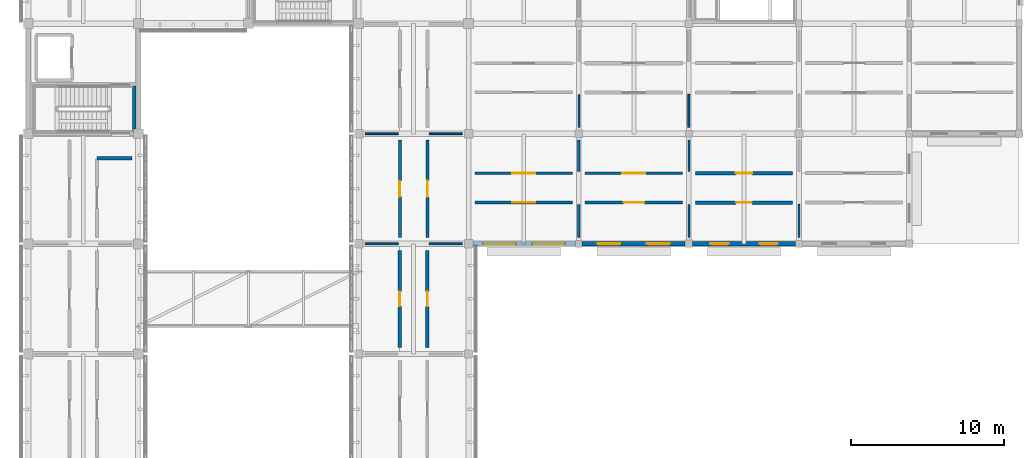
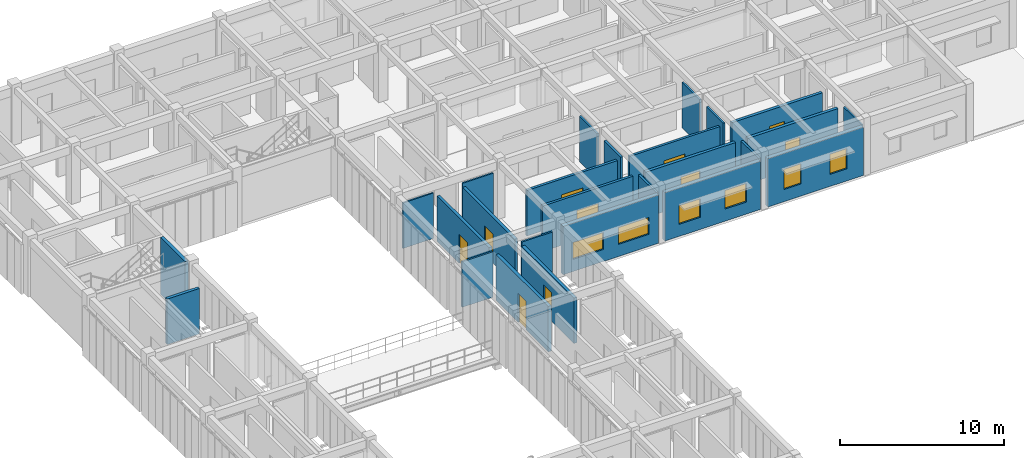
# One storey, part 72 of 91: 26 walls, 10 doors, 6 windows, 16 openings.
"""IFC4 building model written with IfcOpenShell, lengths in metres."""

from ifc_helpers import new_model, si_unit, direction, frame, frame_2d, origin, place, context, subcontext, project, spatial, rectangle, extrude, material, layer, layer_set, type_object, element, fill, save


model = new_model("IFC4")

# Units and contexts
model_context = context("Model", 3, precision=1e-05, world=origin(), true_north=direction((0.0, 1.0)))
body_context = subcontext(model_context, "Body", "Model", "MODEL_VIEW")
ifc_project = project(units=[si_unit("LENGTHUNIT", "METRE"), si_unit("AREAUNIT", "SQUARE_METRE"), si_unit("VOLUMEUNIT", "CUBIC_METRE"), si_unit("PLANEANGLEUNIT", "RADIAN"), si_unit("MASSUNIT", "GRAM", prefix="KILO")], contexts=[model_context])

# Site, building, storey
site_placement = place(None, origin())
site = spatial("IfcSite", under=ifc_project, at=site_placement, CompositionType="ELEMENT")
building_placement = place(site_placement, origin())
building = spatial("IfcBuilding", under=site, at=building_placement, Name="Aldebral Square Health Centre", CompositionType="ELEMENT")
storey_placement = place(building_placement, frame((0.0, 0.0, 9.0)))
storey = spatial("IfcBuildingStorey", under=building, at=storey_placement, Name="L02", CompositionType="ELEMENT", Elevation=9.0)

# Wall, openings, windows
ifc_material_1 = material(Name="Ochre mineral-rendered concrete C35/45 court wall", Category="concrete")
ifc_layer_1 = layer(ifc_material_1, 0.280029296875, Name="Ochre mineral-rendered concrete C35/45 court wall", Category="concrete")
ifc_layer_set_1 = layer_set([ifc_layer_1], Name="Ochre mineral-rendered concrete C35/45 court wall")
wall_type_1 = type_object("IfcWallType", Name="EW-OCH-280", PredefinedType="STANDARD", material=ifc_layer_set_1)
wall_1_placement = place(storey_placement, frame((29.074951171875, 86.39990234375, 0.0), z_axis=(0.0, 0.0, 1.0), x_axis=(1.0, 0.0, 0.0)))
wall_1 = element("IfcWall", 1, at=wall_1_placement, inside=storey, type_object=wall_type_1, Name="L02 V2 exterior wall L02-V2-04-12-S", PredefinedType="STANDARD", context=body_context, shape_type="SweptSolid", body=[
    extrude(rectangle(XDim=6.699951171875, YDim=0.280029296875, at=frame_2d((3.35009765625, 0.0))), origin(), (0.0, 0.0, 1.0), 3.590087890625),
])
opening_1_placement = place(wall_1_placement, frame((0.675048828125, 0.0, 0.89990234375)))
opening_1 = element("IfcOpeningElement", 2, at=opening_1_placement, cuts=wall_1, Name="Opening W09", PredefinedType="OPENING", context=body_context, shape_type="SweptSolid", body=[
    extrude(rectangle(XDim=2.14990234375, YDim=1.25, at=frame_2d((1.074951171875, 0.625))), frame((0.0, 0.14990234375, 0.0), z_axis=(0.0, -1.0, 0.0), x_axis=(1.0, 0.0, 0.0)), (0.0, 0.0, 1.0), 0.300048828125),
])
opening_2_placement = place(wall_1_placement, frame((3.875, 0.0, 0.89990234375)))
opening_2 = element("IfcOpeningElement", 3, at=opening_2_placement, cuts=wall_1, Name="Opening W09", PredefinedType="OPENING", context=body_context, shape_type="SweptSolid", body=[
    extrude(rectangle(XDim=2.14990234375, YDim=1.25, at=frame_2d((1.074951171875, 0.625))), frame((0.0, 0.14990234375, 0.0), z_axis=(0.0, -1.0, 0.0), x_axis=(1.0, 0.0, 0.0)), (0.0, 0.0, 1.0), 0.300048828125),
])
ifc_material_2 = material(Name="Thermally broken aluminium and low-E glass", Category="aluminium")
window_type_1 = type_object("IfcWindowType", Name="WIN-W09", PartitioningType="SINGLE_PANEL", PredefinedType="WINDOW", material=ifc_material_2)
window_1_placement = place(opening_1_placement, origin())
window_1 = element("IfcWindow", 4, at=window_1_placement, inside=storey, type_object=window_type_1, Name="L02 clinical window L02-V2-04-12-S.1", OverallHeight=1.25, OverallWidth=2.14990234375, PartitioningType="SINGLE_PANEL", PredefinedType="WINDOW", context=body_context, shape_type="SweptSolid", body=[
    extrude(rectangle(XDim=2.14990234375, YDim=1.25, at=frame_2d((1.074951171875, 0.625))), frame((0.0, 0.030029296875, 0.0), z_axis=(0.0, -1.0, 0.0), x_axis=(1.0, 0.0, 0.0)), (0.0, 0.0, 1.0), 0.06005859375),
])
fill(opening_1, window_1)
window_2_placement = place(opening_2_placement, origin())
window_2 = element("IfcWindow", 5, at=window_2_placement, inside=storey, type_object=window_type_1, Name="L02 clinical window L02-V2-04-12-S.2", OverallHeight=1.25, OverallWidth=2.14990234375, PartitioningType="SINGLE_PANEL", PredefinedType="WINDOW", context=body_context, shape_type="SweptSolid", body=[
    extrude(rectangle(XDim=2.14990234375, YDim=1.25, at=frame_2d((1.074951171875, 0.625))), frame((0.0, 0.030029296875, 0.0), z_axis=(0.0, -1.0, 0.0), x_axis=(1.0, 0.0, 0.0)), (0.0, 0.0, 1.0), 0.06005859375),
])
fill(opening_2, window_2)

wall_2_placement = place(storey_placement, frame((36.22509765625, 86.39990234375, 0.0), z_axis=(0.0, 0.0, 1.0), x_axis=(1.0, 0.0, 0.0)))
wall_2 = element("IfcWall", 6, at=wall_2_placement, inside=storey, type_object=wall_type_1, Name="L02 V2 exterior wall L02-V2-05-12-S", PredefinedType="STANDARD", context=body_context, shape_type="SweptSolid", body=[
    extrude(rectangle(XDim=6.724853515625, YDim=0.280029296875, at=frame_2d((3.3623046875, 0.0))), origin(), (0.0, 0.0, 1.0), 3.590087890625),
])
opening_3_placement = place(wall_2_placement, frame((1.0, 0.0, 0.89990234375)))
opening_3 = element("IfcOpeningElement", 7, at=opening_3_placement, cuts=wall_2, Name="Opening W14", PredefinedType="OPENING", context=body_context, shape_type="SweptSolid", body=[
    extrude(rectangle(XDim=1.5, YDim=1.3798828125, at=frame_2d((0.75, 0.68994140625))), frame((0.0, 0.14990234375, 0.0), z_axis=(0.0, -1.0, 0.0), x_axis=(1.0, 0.0, 0.0)), (0.0, 0.0, 1.0), 0.300048828125),
])
opening_4_placement = place(wall_2_placement, frame((4.22509765625, 0.0, 0.89990234375)))
opening_4 = element("IfcOpeningElement", 8, at=opening_4_placement, cuts=wall_2, Name="Opening W14", PredefinedType="OPENING", context=body_context, shape_type="SweptSolid", body=[
    extrude(rectangle(XDim=1.5, YDim=1.3798828125, at=frame_2d((0.75, 0.68994140625))), frame((0.0, 0.14990234375, 0.0), z_axis=(0.0, -1.0, 0.0), x_axis=(1.0, 0.0, 0.0)), (0.0, 0.0, 1.0), 0.300048828125),
])
window_type_2 = type_object("IfcWindowType", Name="WIN-W14", PartitioningType="SINGLE_PANEL", PredefinedType="WINDOW", material=ifc_material_2)
window_3_placement = place(opening_3_placement, origin())
window_3 = element("IfcWindow", 9, at=window_3_placement, inside=storey, type_object=window_type_2, Name="L02 clinical window L02-V2-05-12-S.1", OverallHeight=1.3798828125, OverallWidth=1.5, PartitioningType="SINGLE_PANEL", PredefinedType="WINDOW", context=body_context, shape_type="SweptSolid", body=[
    extrude(rectangle(XDim=1.5, YDim=1.3798828125, at=frame_2d((0.75, 0.68994140625))), frame((0.0, 0.030029296875, 0.0), z_axis=(0.0, -1.0, 0.0), x_axis=(1.0, 0.0, 0.0)), (0.0, 0.0, 1.0), 0.06005859375),
])
fill(opening_3, window_3)
window_4_placement = place(opening_4_placement, origin())
window_4 = element("IfcWindow", 10, at=window_4_placement, inside=storey, type_object=window_type_2, Name="L02 clinical window L02-V2-05-12-S.2", OverallHeight=1.3798828125, OverallWidth=1.5, PartitioningType="SINGLE_PANEL", PredefinedType="WINDOW", context=body_context, shape_type="SweptSolid", body=[
    extrude(rectangle(XDim=1.5, YDim=1.3798828125, at=frame_2d((0.75, 0.68994140625))), frame((0.0, 0.030029296875, 0.0), z_axis=(0.0, -1.0, 0.0), x_axis=(1.0, 0.0, 0.0)), (0.0, 0.0, 1.0), 0.06005859375),
])
fill(opening_4, window_4)

wall_3_placement = place(storey_placement, frame((43.449951171875, 86.39990234375, 0.0), z_axis=(0.0, 0.0, 1.0), x_axis=(1.0, 0.0, 0.0)))
wall_3 = element("IfcWall", 11, at=wall_3_placement, inside=storey, type_object=wall_type_1, Name="L02 V2 exterior wall L02-V2-06-12-S", PredefinedType="STANDARD", context=body_context, shape_type="SweptSolid", body=[
    extrude(rectangle(XDim=6.72509765625, YDim=0.280029296875, at=frame_2d((3.362548828125, 0.0))), origin(), (0.0, 0.0, 1.0), 3.590087890625),
])
opening_5_placement = place(wall_3_placement, frame((1.14990234375, 0.0, 0.89990234375)))
opening_5 = element("IfcOpeningElement", 12, at=opening_5_placement, cuts=wall_3, Name="Opening W21", PredefinedType="OPENING", context=body_context, shape_type="SweptSolid", body=[
    extrude(rectangle(XDim=1.199951171875, YDim=1.5, at=frame_2d((0.60009765625, 0.75))), frame((0.0, 0.14990234375, 0.0), z_axis=(0.0, -1.0, 0.0), x_axis=(1.0, 0.0, 0.0)), (0.0, 0.0, 1.0), 0.300048828125),
])
opening_6_placement = place(wall_3_placement, frame((4.375, 0.0, 0.89990234375)))
opening_6 = element("IfcOpeningElement", 13, at=opening_6_placement, cuts=wall_3, Name="Opening W21", PredefinedType="OPENING", context=body_context, shape_type="SweptSolid", body=[
    extrude(rectangle(XDim=1.199951171875, YDim=1.5, at=frame_2d((0.60009765625, 0.75))), frame((0.0, 0.14990234375, 0.0), z_axis=(0.0, -1.0, 0.0), x_axis=(1.0, 0.0, 0.0)), (0.0, 0.0, 1.0), 0.300048828125),
])
window_type_3 = type_object("IfcWindowType", Name="WIN-W21", PartitioningType="SINGLE_PANEL", PredefinedType="WINDOW", material=ifc_material_2)
window_5_placement = place(opening_5_placement, origin())
window_5 = element("IfcWindow", 14, at=window_5_placement, inside=storey, type_object=window_type_3, Name="L02 clinical window L02-V2-06-12-S.1", OverallHeight=1.5, OverallWidth=1.199951171875, PartitioningType="SINGLE_PANEL", PredefinedType="WINDOW", context=body_context, shape_type="SweptSolid", body=[
    extrude(rectangle(XDim=1.199951171875, YDim=1.5, at=frame_2d((0.60009765625, 0.75))), frame((0.0, 0.030029296875, 0.0), z_axis=(0.0, -1.0, 0.0), x_axis=(1.0, 0.0, 0.0)), (0.0, 0.0, 1.0), 0.06005859375),
])
fill(opening_5, window_5)
window_6_placement = place(opening_6_placement, origin())
window_6 = element("IfcWindow", 15, at=window_6_placement, inside=storey, type_object=window_type_3, Name="L02 clinical window L02-V2-06-12-S.2", OverallHeight=1.5, OverallWidth=1.199951171875, PartitioningType="SINGLE_PANEL", PredefinedType="WINDOW", context=body_context, shape_type="SweptSolid", body=[
    extrude(rectangle(XDim=1.199951171875, YDim=1.5, at=frame_2d((0.60009765625, 0.75))), frame((0.0, 0.030029296875, 0.0), z_axis=(0.0, -1.0, 0.0), x_axis=(1.0, 0.0, 0.0)), (0.0, 0.0, 1.0), 0.06005859375),
])
fill(opening_6, window_6)

# Wall, opening, door
ifc_material_3 = material(Name="Concrete C35/45 compartment wall", Category="concrete")
ifc_layer_2 = layer(ifc_material_3, 0.199951171875, Name="Concrete C35/45 compartment wall", Category="concrete")
ifc_layer_set_2 = layer_set([ifc_layer_2], Name="Concrete C35/45 compartment wall")
wall_type_2 = type_object("IfcWallType", Name="IW-CMP-200", PredefinedType="SOLIDWALL", material=ifc_layer_set_2)
wall_4_placement = place(storey_placement, frame((24.300048828125, 86.820068359375, 0.0), z_axis=(0.0, 0.0, 1.0), x_axis=(0.0, 1.0, 0.0)))
wall_4 = element("IfcWall", 16, at=wall_4_placement, inside=storey, type_object=wall_type_2, Name="L02 General Consulting Room 4.13W corridor wall", PredefinedType="SOLIDWALL", context=body_context, shape_type="SweptSolid", body=[
    extrude(rectangle(XDim=6.35986328125, YDim=0.199951171875, at=frame_2d((3.179931640625, 0.0))), origin(), (0.0, 0.0, 1.0), 3.3798828125),
])
opening_7_placement = place(wall_4_placement, frame((2.669921875, 0.0, 0.0)))
opening_7 = element("IfcOpeningElement", 17, at=opening_7_placement, cuts=wall_4, Name="Opening D-0464", PredefinedType="OPENING", context=body_context, shape_type="SweptSolid", body=[
    extrude(rectangle(XDim=1.02001953125, YDim=2.139892578125, at=frame_2d((0.510009765625, 1.06982421875))), frame((0.0, 0.10986328125, 0.0), z_axis=(0.0, -1.0, 0.0), x_axis=(1.0, 0.0, 0.0)), (0.0, 0.0, 1.0), 0.219970703125),
])
ifc_material_4 = material(Name="Clinical suite fire door")
door_type_1 = type_object("IfcDoorType", Name="ID-EXD-35", OperationType="NOTDEFINED", PredefinedType="DOOR", material=ifc_material_4)
door_1_placement = place(opening_7_placement, origin())
door_1 = element("IfcDoor", 18, at=door_1_placement, inside=storey, type_object=door_type_1, Name="L02 General Consulting Room 4.13W door", OperationType="SINGLE_SWING_LEFT", OverallHeight=2.139892578125, OverallWidth=1.02001953125, PredefinedType="DOOR", context=body_context, shape_type="SweptSolid", body=[
    extrude(rectangle(XDim=1.02001953125, YDim=2.139892578125, at=frame_2d((0.510009765625, 1.06982421875))), frame((0.0, 0.02490234375, 0.0), z_axis=(0.0, -1.0, 0.0), x_axis=(1.0, 0.0, 0.0)), (0.0, 0.0, 1.0), 0.050048828125),
])
fill(opening_7, door_1)

ifc_layer_3 = layer(ifc_material_3, 0.219970703125, Name="Concrete C35/45 compartment wall", Category="concrete")
ifc_layer_set_3 = layer_set([ifc_layer_3], Name="Concrete C35/45 compartment wall")
wall_type_3 = type_object("IfcWallType", Name="IW-CMP-220", PredefinedType="SOLIDWALL", material=ifc_layer_set_3)
wall_5_placement = place(storey_placement, frame((43.6201171875, 89.10009765625, 0.0), z_axis=(0.0, 0.0, 1.0), x_axis=(1.0, 0.0, 0.0)))
wall_5 = element("IfcWall", 19, at=wall_5_placement, inside=storey, type_object=wall_type_3, Name="L02 Surgical HVAC Plant Room 7.13S corridor wall", PredefinedType="SOLIDWALL", context=body_context, shape_type="SweptSolid", body=[
    extrude(rectangle(XDim=6.35986328125, YDim=0.219970703125, at=frame_2d((3.179931640625, 0.0))), origin(), (0.0, 0.0, 1.0), 3.3798828125),
])
opening_8_placement = place(wall_5_placement, frame((2.669921875, 0.0, 0.0)))
opening_8 = element("IfcOpeningElement", 20, at=opening_8_placement, cuts=wall_5, Name="Opening D-0411", PredefinedType="OPENING", context=body_context, shape_type="SweptSolid", body=[
    extrude(rectangle(XDim=1.02001953125, YDim=2.18994140625, at=frame_2d((0.510009765625, 1.094970703125))), frame((0.0, 0.1201171875, 0.0), z_axis=(0.0, -1.0, 0.0), x_axis=(1.0, 0.0, 0.0)), (0.0, 0.0, 1.0), 0.239990234375),
])
door_type_2 = type_object("IfcDoorType", Name="ID-EXD-51", OperationType="NOTDEFINED", PredefinedType="DOOR", material=ifc_material_4)
door_2_placement = place(opening_8_placement, origin())
door_2 = element("IfcDoor", 21, at=door_2_placement, inside=storey, type_object=door_type_2, Name="L02 Surgical HVAC Plant Room 7.13S door", OperationType="SINGLE_SWING_RIGHT", OverallHeight=2.18994140625, OverallWidth=1.02001953125, PredefinedType="DOOR", context=body_context, shape_type="SweptSolid", body=[
    extrude(rectangle(XDim=1.02001953125, YDim=2.18994140625, at=frame_2d((0.510009765625, 1.094970703125))), frame((0.0, 0.02490234375, 0.0), z_axis=(0.0, -1.0, 0.0), x_axis=(1.0, 0.0, 0.0)), (0.0, 0.0, 1.0), 0.050048828125),
])
fill(opening_8, door_2)

wall_6_placement = place(storey_placement, frame((24.300048828125, 79.6201171875, 0.0), z_axis=(0.0, 0.0, 1.0), x_axis=(0.0, 1.0, 0.0)))
wall_6 = element("IfcWall", 22, at=wall_6_placement, inside=storey, type_object=wall_type_3, Name="L02 Adolescent Medicine Clinic 4.12W corridor wall", PredefinedType="SOLIDWALL", context=body_context, shape_type="SweptSolid", body=[
    extrude(rectangle(XDim=6.35986328125, YDim=0.219970703125, at=frame_2d((3.179931640625, 0.0))), origin(), (0.0, 0.0, 1.0), 3.3798828125),
])
opening_9_placement = place(wall_6_placement, frame((2.7099609375, 0.0, 0.0)))
opening_9 = element("IfcOpeningElement", 23, at=opening_9_placement, cuts=wall_6, Name="Opening D-0462", PredefinedType="OPENING", context=body_context, shape_type="SweptSolid", body=[
    extrude(rectangle(XDim=0.93994140625, YDim=2.139892578125, at=frame_2d((0.469970703125, 1.06982421875))), frame((0.0, 0.1201171875, 0.0), z_axis=(0.0, -1.0, 0.0), x_axis=(1.0, 0.0, 0.0)), (0.0, 0.0, 1.0), 0.239990234375),
])
door_type_3 = type_object("IfcDoorType", Name="ID-EXD-33", OperationType="NOTDEFINED", PredefinedType="DOOR", material=ifc_material_4)
door_3_placement = place(opening_9_placement, origin())
door_3 = element("IfcDoor", 24, at=door_3_placement, inside=storey, type_object=door_type_3, Name="L02 Adolescent Medicine Clinic 4.12W door", OperationType="SINGLE_SWING_LEFT", OverallHeight=2.139892578125, OverallWidth=0.93994140625, PredefinedType="DOOR", context=body_context, shape_type="SweptSolid", body=[
    extrude(rectangle(XDim=0.93994140625, YDim=2.139892578125, at=frame_2d((0.469970703125, 1.06982421875))), frame((0.0, 0.02490234375, 0.0), z_axis=(0.0, -1.0, 0.0), x_axis=(1.0, 0.0, 0.0)), (0.0, 0.0, 1.0), 0.050048828125),
])
fill(opening_9, door_3)

wall_7_placement = place(storey_placement, frame((26.10009765625, 79.6201171875, 0.0), z_axis=(0.0, 0.0, 1.0), x_axis=(0.0, 1.0, 0.0)))
wall_7 = element("IfcWall", 25, at=wall_7_placement, inside=storey, type_object=wall_type_3, Name="L02 Immunisation Suite 4.12E corridor wall", PredefinedType="SOLIDWALL", context=body_context, shape_type="SweptSolid", body=[
    extrude(rectangle(XDim=6.35986328125, YDim=0.219970703125, at=frame_2d((3.179931640625, 0.0))), origin(), (0.0, 0.0, 1.0), 3.3798828125),
])
opening_10_placement = place(wall_7_placement, frame((2.68994140625, 0.0, 0.0)))
opening_10 = element("IfcOpeningElement", 26, at=opening_10_placement, cuts=wall_7, Name="Opening D-0463", PredefinedType="OPENING", context=body_context, shape_type="SweptSolid", body=[
    extrude(rectangle(XDim=0.97998046875, YDim=2.139892578125, at=frame_2d((0.489990234375, 1.06982421875))), frame((0.0, 0.1201171875, 0.0), z_axis=(0.0, -1.0, 0.0), x_axis=(1.0, 0.0, 0.0)), (0.0, 0.0, 1.0), 0.239990234375),
])
door_type_4 = type_object("IfcDoorType", Name="ID-EXD-34", OperationType="NOTDEFINED", PredefinedType="DOOR", material=ifc_material_4)
door_4_placement = place(opening_10_placement, origin())
door_4 = element("IfcDoor", 27, at=door_4_placement, inside=storey, type_object=door_type_4, Name="L02 Immunisation Suite 4.12E door", OperationType="SINGLE_SWING_RIGHT", OverallHeight=2.139892578125, OverallWidth=0.97998046875, PredefinedType="DOOR", context=body_context, shape_type="SweptSolid", body=[
    extrude(rectangle(XDim=0.97998046875, YDim=2.139892578125, at=frame_2d((0.489990234375, 1.06982421875))), frame((0.0, 0.02490234375, 0.0), z_axis=(0.0, -1.0, 0.0), x_axis=(1.0, 0.0, 0.0)), (0.0, 0.0, 1.0), 0.050048828125),
])
fill(opening_10, door_4)

ifc_material_5 = material(Name="Fire-rated acoustic gypsum partition")
ifc_layer_4 = layer(ifc_material_5, 0.1650390625, Name="Fire-rated acoustic gypsum partition")
ifc_layer_set_4 = layer_set([ifc_layer_4], Name="Fire-rated acoustic gypsum partition")
wall_type_4 = type_object("IfcWallType", Name="IW-COR-165", PredefinedType="PARTITIONING", material=ifc_layer_set_4)
wall_8_placement = place(storey_placement, frame((36.419921875, 91.02001953125, 0.0), z_axis=(0.0, 0.0, 1.0), x_axis=(1.0, 0.0, 0.0)))
wall_8 = element("IfcWall", 28, at=wall_8_placement, inside=storey, type_object=wall_type_4, Name="L02 Day Surgery Operating Theatre 6.13N corridor wall", PredefinedType="PARTITIONING", context=body_context, shape_type="SweptSolid", body=[
    extrude(rectangle(XDim=6.360107421875, YDim=0.1650390625, at=frame_2d((3.18017578125, 0.0))), origin(), (0.0, 0.0, 1.0), 3.3798828125),
])
opening_11_placement = place(wall_8_placement, frame((2.429931640625, 0.0, 0.0)))
opening_11 = element("IfcOpeningElement", 29, at=opening_11_placement, cuts=wall_8, Name="Opening D-0404", PredefinedType="OPENING", context=body_context, shape_type="SweptSolid", body=[
    extrude(rectangle(XDim=1.5, YDim=2.199951171875, at=frame_2d((0.75, 1.10009765625))), frame((0.0, 0.092529296875, 0.0), z_axis=(0.0, -1.0, 0.0), x_axis=(1.0, 0.0, 0.0)), (0.0, 0.0, 1.0), 0.18505859375),
])
ifc_material_6 = material(Name="Surgical suite double-leaf fire door")
door_type_5 = type_object("IfcDoorType", Name="ID-OR-150", OperationType="NOTDEFINED", PredefinedType="DOOR", material=ifc_material_6)
door_5_placement = place(opening_11_placement, origin())
door_5 = element("IfcDoor", 30, at=door_5_placement, inside=storey, type_object=door_type_5, Name="L02 Day Surgery Operating Theatre 6.13N door", OperationType="SINGLE_SWING_LEFT", OverallHeight=2.199951171875, OverallWidth=1.5, PredefinedType="DOOR", context=body_context, shape_type="SweptSolid", body=[
    extrude(rectangle(XDim=1.5, YDim=2.199951171875, at=frame_2d((0.75, 1.10009765625))), frame((0.0, 0.02490234375, 0.0), z_axis=(0.0, -1.0, 0.0), x_axis=(1.0, 0.0, 0.0)), (0.0, 0.0, 1.0), 0.050048828125),
])
fill(opening_11, door_5)

ifc_layer_5 = layer(ifc_material_5, 0.179931640625, Name="Fire-rated acoustic gypsum partition")
ifc_layer_set_5 = layer_set([ifc_layer_5], Name="Fire-rated acoustic gypsum partition")
wall_type_5 = type_object("IfcWallType", Name="IW-COR-180", PredefinedType="PARTITIONING", material=ifc_layer_set_5)
wall_9_placement = place(storey_placement, frame((29.219970703125, 89.10009765625, 0.0), z_axis=(0.0, 0.0, 1.0), x_axis=(1.0, 0.0, 0.0)))
wall_9 = element("IfcWall", 31, at=wall_9_placement, inside=storey, type_object=wall_type_5, Name="L02 Day Surgery Operating Theatre 5.13S corridor wall", PredefinedType="PARTITIONING", context=body_context, shape_type="SweptSolid", body=[
    extrude(rectangle(XDim=6.360107421875, YDim=0.179931640625, at=frame_2d((3.18017578125, 0.0))), origin(), (0.0, 0.0, 1.0), 3.3798828125),
])
opening_12_placement = place(wall_9_placement, frame((2.429931640625, 0.0, 0.0)))
opening_12 = element("IfcOpeningElement", 32, at=opening_12_placement, cuts=wall_9, Name="Opening D-0395", PredefinedType="OPENING", context=body_context, shape_type="SweptSolid", body=[
    extrude(rectangle(XDim=1.5, YDim=2.199951171875, at=frame_2d((0.75, 1.10009765625))), frame((0.0, 0.10009765625, 0.0), z_axis=(0.0, -1.0, 0.0), x_axis=(1.0, 0.0, 0.0)), (0.0, 0.0, 1.0), 0.199951171875),
])
door_6_placement = place(opening_12_placement, origin())
door_6 = element("IfcDoor", 33, at=door_6_placement, inside=storey, type_object=door_type_5, Name="L02 Day Surgery Operating Theatre 5.13S door", OperationType="SINGLE_SWING_RIGHT", OverallHeight=2.199951171875, OverallWidth=1.5, PredefinedType="DOOR", context=body_context, shape_type="SweptSolid", body=[
    extrude(rectangle(XDim=1.5, YDim=2.199951171875, at=frame_2d((0.75, 1.10009765625))), frame((0.0, 0.02490234375, 0.0), z_axis=(0.0, -1.0, 0.0), x_axis=(1.0, 0.0, 0.0)), (0.0, 0.0, 1.0), 0.050048828125),
])
fill(opening_12, door_6)

wall_10_placement = place(storey_placement, frame((29.219970703125, 91.02001953125, 0.0), z_axis=(0.0, 0.0, 1.0), x_axis=(1.0, 0.0, 0.0)))
wall_10 = element("IfcWall", 34, at=wall_10_placement, inside=storey, type_object=wall_type_5, Name="L02 Ambulatory Procedure Room 5.13N corridor wall", PredefinedType="PARTITIONING", context=body_context, shape_type="SweptSolid", body=[
    extrude(rectangle(XDim=6.360107421875, YDim=0.179931640625, at=frame_2d((3.18017578125, 0.0))), origin(), (0.0, 0.0, 1.0), 3.3798828125),
])
opening_13_placement = place(wall_10_placement, frame((2.429931640625, 0.0, 0.0)))
opening_13 = element("IfcOpeningElement", 35, at=opening_13_placement, cuts=wall_10, Name="Opening D-0396", PredefinedType="OPENING", context=body_context, shape_type="SweptSolid", body=[
    extrude(rectangle(XDim=1.5, YDim=2.199951171875, at=frame_2d((0.75, 1.10009765625))), frame((0.0, 0.10009765625, 0.0), z_axis=(0.0, -1.0, 0.0), x_axis=(1.0, 0.0, 0.0)), (0.0, 0.0, 1.0), 0.199951171875),
])
door_7_placement = place(opening_13_placement, origin())
door_7 = element("IfcDoor", 36, at=door_7_placement, inside=storey, type_object=door_type_5, Name="L02 Ambulatory Procedure Room 5.13N door", OperationType="SINGLE_SWING_LEFT", OverallHeight=2.199951171875, OverallWidth=1.5, PredefinedType="DOOR", context=body_context, shape_type="SweptSolid", body=[
    extrude(rectangle(XDim=1.5, YDim=2.199951171875, at=frame_2d((0.75, 1.10009765625))), frame((0.0, 0.02490234375, 0.0), z_axis=(0.0, -1.0, 0.0), x_axis=(1.0, 0.0, 0.0)), (0.0, 0.0, 1.0), 0.050048828125),
])
fill(opening_13, door_7)

# Wall
ifc_material_7 = material(Name="Concrete C40/50", Category="concrete")
ifc_layer_6 = layer(ifc_material_7, 0.219970703125, Name="Concrete C40/50", Category="concrete")
ifc_layer_set_6 = layer_set([ifc_layer_6], Name="Concrete C40/50")
wall_type_6 = type_object("IfcWallType", Name="IW-CORE-280", PredefinedType="SHEAR", material=ifc_layer_set_6)
wall_11_placement = place(storey_placement, frame((6.929931640625, 93.719970703125, 0.0), z_axis=(0.0, 0.0, 1.0), x_axis=(0.0, 1.0, 0.0)))
element("IfcWall", 37, at=wall_11_placement, inside=storey, type_object=wall_type_6, Name="L02 WC-C1 shaft wall E", PredefinedType="SHEAR", context=body_context, shape_type="SweptSolid", body=[
    extrude(rectangle(XDim=3.0, YDim=0.219970703125, at=frame_2d((1.5, 0.0))), origin(), (0.0, 0.0, 1.0), 4.239990234375),
])

# Wall, opening, door
ifc_material_8 = material(Name="Moisture-resistant sanitary chase wall")
ifc_layer_7 = layer(ifc_material_8, 0.2099609375, Name="Moisture-resistant sanitary chase wall")
ifc_layer_set_7 = layer_set([ifc_layer_7], Name="Moisture-resistant sanitary chase wall")
wall_type_7 = type_object("IfcWallType", Name="IW-PLB-210", PredefinedType="PLUMBINGWALL", material=ifc_layer_set_7)
wall_12_placement = place(storey_placement, frame((36.419921875, 89.10009765625, 0.0), z_axis=(0.0, 0.0, 1.0), x_axis=(1.0, 0.0, 0.0)))
wall_12 = element("IfcWall", 38, at=wall_12_placement, inside=storey, type_object=wall_type_7, Name="L02 Accessible WC 6.13S corridor wall", PredefinedType="PLUMBINGWALL", context=body_context, shape_type="SweptSolid", body=[
    extrude(rectangle(XDim=6.360107421875, YDim=0.2099609375, at=frame_2d((3.18017578125, 0.0))), origin(), (0.0, 0.0, 1.0), 3.3798828125),
])
opening_14_placement = place(wall_12_placement, frame((2.510009765625, 0.0, 0.0)))
opening_14 = element("IfcOpeningElement", 39, at=opening_14_placement, cuts=wall_12, Name="Opening D-0403", PredefinedType="OPENING", context=body_context, shape_type="SweptSolid", body=[
    extrude(rectangle(XDim=1.340087890625, YDim=2.139892578125, at=frame_2d((0.669921875, 1.06982421875))), frame((0.0, 0.114990234375, 0.0), z_axis=(0.0, -1.0, 0.0), x_axis=(1.0, 0.0, 0.0)), (0.0, 0.0, 1.0), 0.22998046875),
])
door_type_6 = type_object("IfcDoorType", Name="ID-EXD-43", OperationType="NOTDEFINED", PredefinedType="DOOR", material=ifc_material_4)
door_8_placement = place(opening_14_placement, origin())
door_8 = element("IfcDoor", 40, at=door_8_placement, inside=storey, type_object=door_type_6, Name="L02 Accessible WC 6.13S door", OperationType="SINGLE_SWING_RIGHT", OverallHeight=2.139892578125, OverallWidth=1.340087890625, PredefinedType="DOOR", context=body_context, shape_type="SweptSolid", body=[
    extrude(rectangle(XDim=1.340087890625, YDim=2.139892578125, at=frame_2d((0.669921875, 1.06982421875))), frame((0.0, 0.02490234375, 0.0), z_axis=(0.0, -1.0, 0.0), x_axis=(1.0, 0.0, 0.0)), (0.0, 0.0, 1.0), 0.050048828125),
])
fill(opening_14, door_8)

wall_13_placement = place(storey_placement, frame((43.6201171875, 91.02001953125, 0.0), z_axis=(0.0, 0.0, 1.0), x_axis=(1.0, 0.0, 0.0)))
wall_13 = element("IfcWall", 41, at=wall_13_placement, inside=storey, type_object=wall_type_7, Name="L02 Accessible WC 7.13N corridor wall", PredefinedType="PLUMBINGWALL", context=body_context, shape_type="SweptSolid", body=[
    extrude(rectangle(XDim=6.35986328125, YDim=0.2099609375, at=frame_2d((3.179931640625, 0.0))), origin(), (0.0, 0.0, 1.0), 3.3798828125),
])
opening_15_placement = place(wall_13_placement, frame((2.64990234375, 0.0, 0.0)))
opening_15 = element("IfcOpeningElement", 42, at=opening_15_placement, cuts=wall_13, Name="Opening D-0412", PredefinedType="OPENING", context=body_context, shape_type="SweptSolid", body=[
    extrude(rectangle(XDim=1.06005859375, YDim=2.18994140625, at=frame_2d((0.530029296875, 1.094970703125))), frame((0.0, 0.114990234375, 0.0), z_axis=(0.0, -1.0, 0.0), x_axis=(1.0, 0.0, 0.0)), (0.0, 0.0, 1.0), 0.22998046875),
])
door_type_7 = type_object("IfcDoorType", Name="ID-EXD-52", OperationType="NOTDEFINED", PredefinedType="DOOR", material=ifc_material_4)
door_9_placement = place(opening_15_placement, origin())
door_9 = element("IfcDoor", 43, at=door_9_placement, inside=storey, type_object=door_type_7, Name="L02 Accessible WC 7.13N door", OperationType="SINGLE_SWING_LEFT", OverallHeight=2.18994140625, OverallWidth=1.06005859375, PredefinedType="DOOR", context=body_context, shape_type="SweptSolid", body=[
    extrude(rectangle(XDim=1.06005859375, YDim=2.18994140625, at=frame_2d((0.530029296875, 1.094970703125))), frame((0.0, 0.02490234375, 0.0), z_axis=(0.0, -1.0, 0.0), x_axis=(1.0, 0.0, 0.0)), (0.0, 0.0, 1.0), 0.050048828125),
])
fill(opening_15, door_9)

# Wall
wall_14_placement = place(storey_placement, frame((4.5, 92.0, 0.0), z_axis=(0.0, 0.0, 1.0), x_axis=(1.0, 0.0, 0.0)))
element("IfcWall", 44, at=wall_14_placement, inside=storey, type_object=wall_type_7, Name="L02 General Consulting Room 1.13E lobby return wall", PredefinedType="PLUMBINGWALL", context=body_context, shape_type="SweptSolid", body=[
    extrude(rectangle(XDim=2.280029296875, YDim=0.2099609375, at=frame_2d((1.14013671875, 0.0))), origin(), (0.0, 0.0, 1.0), 3.3798828125),
])

# Wall, opening, door
wall_15_placement = place(storey_placement, frame((26.10009765625, 86.820068359375, 0.0), z_axis=(0.0, 0.0, 1.0), x_axis=(0.0, 1.0, 0.0)))
wall_15 = element("IfcWall", 45, at=wall_15_placement, inside=storey, type_object=wall_type_7, Name="L02 Accessible WC 4.13E corridor wall", PredefinedType="PLUMBINGWALL", context=body_context, shape_type="SweptSolid", body=[
    extrude(rectangle(XDim=6.35986328125, YDim=0.2099609375, at=frame_2d((3.179931640625, 0.0))), origin(), (0.0, 0.0, 1.0), 3.3798828125),
])
opening_16_placement = place(wall_15_placement, frame((2.64990234375, 0.0, 0.0)))
opening_16 = element("IfcOpeningElement", 46, at=opening_16_placement, cuts=wall_15, Name="Opening D-0465", PredefinedType="OPENING", context=body_context, shape_type="SweptSolid", body=[
    extrude(rectangle(XDim=1.06005859375, YDim=2.139892578125, at=frame_2d((0.530029296875, 1.06982421875))), frame((0.0, 0.114990234375, 0.0), z_axis=(0.0, -1.0, 0.0), x_axis=(1.0, 0.0, 0.0)), (0.0, 0.0, 1.0), 0.22998046875),
])
door_type_8 = type_object("IfcDoorType", Name="ID-EXD-36", OperationType="NOTDEFINED", PredefinedType="DOOR", material=ifc_material_4)
door_10_placement = place(opening_16_placement, origin())
door_10 = element("IfcDoor", 47, at=door_10_placement, inside=storey, type_object=door_type_8, Name="L02 Accessible WC 4.13E door", OperationType="SINGLE_SWING_RIGHT", OverallHeight=2.139892578125, OverallWidth=1.06005859375, PredefinedType="DOOR", context=body_context, shape_type="SweptSolid", body=[
    extrude(rectangle(XDim=1.06005859375, YDim=2.139892578125, at=frame_2d((0.530029296875, 1.06982421875))), frame((0.0, 0.02490234375, 0.0), z_axis=(0.0, -1.0, 0.0), x_axis=(1.0, 0.0, 0.0)), (0.0, 0.0, 1.0), 0.050048828125),
])
fill(opening_16, door_10)

# Walls
ifc_material_9 = material(Name="Lightweight clinical partition")
ifc_layer_8 = layer(ifc_material_9, 0.10498046875, Name="Lightweight clinical partition")
ifc_layer_set_8 = layer_set([ifc_layer_8], Name="Lightweight clinical partition")
wall_type_8 = type_object("IfcWallType", Name="IW-PRT-105", PredefinedType="PARTITIONING", material=ifc_layer_set_8)
for number, where, z_axis, x_axis, name in (
    (48, (22.02001953125, 93.60009765625, 0.0), (0.0, 0.0, 1.0), (1.0, 0.0, 0.0), "L02 General Consulting Room 4.13W demising partition"),
    (49, (26.219970703125, 93.60009765625, 0.0), (0.0, 0.0, 1.0), (1.0, 0.0, 0.0), "L02 Accessible WC 4.13E demising partition"),
):
    element("IfcWall", number, at=place(storey_placement, frame(where, z_axis=z_axis, x_axis=x_axis)), inside=storey, type_object=wall_type_8, Name=name, PredefinedType="PARTITIONING", context=body_context, shape_type="SweptSolid", body=[
        extrude(rectangle(XDim=2.159912109375, YDim=0.10498046875, at=frame_2d((1.080078125, 0.0))), origin(), (0.0, 0.0, 1.0), 3.3798828125),
    ])
ifc_material_10 = material(Name="Acoustic clinical gypsum partition")
ifc_layer_9 = layer(ifc_material_10, 0.1201171875, Name="Acoustic clinical gypsum partition")
ifc_layer_set_9 = layer_set([ifc_layer_9], Name="Acoustic clinical gypsum partition")
wall_type_9 = type_object("IfcWallType", Name="IW-PRT-120", PredefinedType="PARTITIONING", material=ifc_layer_set_9)
for number, where, z_axis, x_axis, name in (
    (50, (43.199951171875, 94.02001953125, 0.0), (0.0, 0.0, 1.0), (0.0, 1.0, 0.0), "L02 Ambulatory Procedure Room 6.14S demising partition"),
    (51, (50.39990234375, 86.820068359375, 0.0), (0.0, 0.0, 1.0), (0.0, 1.0, 0.0), "L02 Surgical HVAC Plant Room 7.13S demising partition"),
    (52, (22.02001953125, 86.39990234375, 0.0), (0.0, 0.0, 1.0), (1.0, 0.0, 0.0), "L02 Adolescent Medicine Clinic 4.12W demising partition"),
    (53, (26.219970703125, 86.39990234375, 0.0), (0.0, 0.0, 1.0), (1.0, 0.0, 0.0), "L02 Immunisation Suite 4.12E demising partition"),
):
    element("IfcWall", number, at=place(storey_placement, frame(where, z_axis=z_axis, x_axis=x_axis)), inside=storey, type_object=wall_type_9, Name=name, PredefinedType="PARTITIONING", context=body_context, shape_type="SweptSolid", body=[
        extrude(rectangle(XDim=2.159912109375, YDim=0.1201171875, at=frame_2d((1.080078125, 0.0))), origin(), (0.0, 0.0, 1.0), 3.3798828125),
    ])
ifc_layer_10 = layer(ifc_material_10, 0.135009765625, Name="Acoustic clinical gypsum partition")
ifc_layer_set_10 = layer_set([ifc_layer_10], Name="Acoustic clinical gypsum partition")
wall_type_10 = type_object("IfcWallType", Name="IW-PRT-135", PredefinedType="PARTITIONING", material=ifc_layer_set_10)
for number, where, z_axis, x_axis, name in (
    (54, (36.0, 94.02001953125, 0.0), (0.0, 0.0, 1.0), (0.0, 1.0, 0.0), "L02 Post-Anaesthesia Recovery Bay 5.14S demising partition"),
    (55, (43.199951171875, 86.820068359375, 0.0), (0.0, 0.0, 1.0), (0.0, 1.0, 0.0), "L02 Accessible WC 6.13S demising partition"),
):
    element("IfcWall", number, at=place(storey_placement, frame(where, z_axis=z_axis, x_axis=x_axis)), inside=storey, type_object=wall_type_10, Name=name, PredefinedType="PARTITIONING", context=body_context, shape_type="SweptSolid", body=[
        extrude(rectangle(XDim=2.159912109375, YDim=0.135009765625, at=frame_2d((1.080078125, 0.0))), origin(), (0.0, 0.0, 1.0), 3.3798828125),
    ])
wall_16_placement = place(storey_placement, frame((43.199951171875, 91.139892578125, 0.0), z_axis=(0.0, 0.0, 1.0), x_axis=(0.0, 1.0, 0.0)))
element("IfcWall", 56, at=wall_16_placement, inside=storey, type_object=wall_type_10, Name="L02 Day Surgery Operating Theatre 6.13N demising partition", PredefinedType="PARTITIONING", context=body_context, shape_type="SweptSolid", body=[
    extrude(rectangle(XDim=2.0400390625, YDim=0.135009765625, at=frame_2d((1.02001953125, 0.0))), origin(), (0.0, 0.0, 1.0), 3.3798828125),
])
ifc_layer_11 = layer(ifc_material_10, 0.14990234375, Name="Acoustic clinical gypsum partition")
ifc_layer_set_11 = layer_set([ifc_layer_11], Name="Acoustic clinical gypsum partition")
wall_type_11 = type_object("IfcWallType", Name="IW-PRT-150", PredefinedType="PARTITIONING", material=ifc_layer_set_11)
wall_17_placement = place(storey_placement, frame((36.0, 86.820068359375, 0.0), z_axis=(0.0, 0.0, 1.0), x_axis=(0.0, 1.0, 0.0)))
element("IfcWall", 57, at=wall_17_placement, inside=storey, type_object=wall_type_11, Name="L02 Day Surgery Operating Theatre 5.13S demising partition", PredefinedType="PARTITIONING", context=body_context, shape_type="SweptSolid", body=[
    extrude(rectangle(XDim=2.159912109375, YDim=0.14990234375, at=frame_2d((1.080078125, 0.0))), origin(), (0.0, 0.0, 1.0), 3.3798828125),
])
wall_18_placement = place(storey_placement, frame((36.0, 91.139892578125, 0.0), z_axis=(0.0, 0.0, 1.0), x_axis=(0.0, 1.0, 0.0)))
element("IfcWall", 58, at=wall_18_placement, inside=storey, type_object=wall_type_11, Name="L02 Ambulatory Procedure Room 5.13N demising partition", PredefinedType="PARTITIONING", context=body_context, shape_type="SweptSolid", body=[
    extrude(rectangle(XDim=2.0400390625, YDim=0.14990234375, at=frame_2d((1.02001953125, 0.0))), origin(), (0.0, 0.0, 1.0), 3.3798828125),
])

save(model, "model.ifc")
